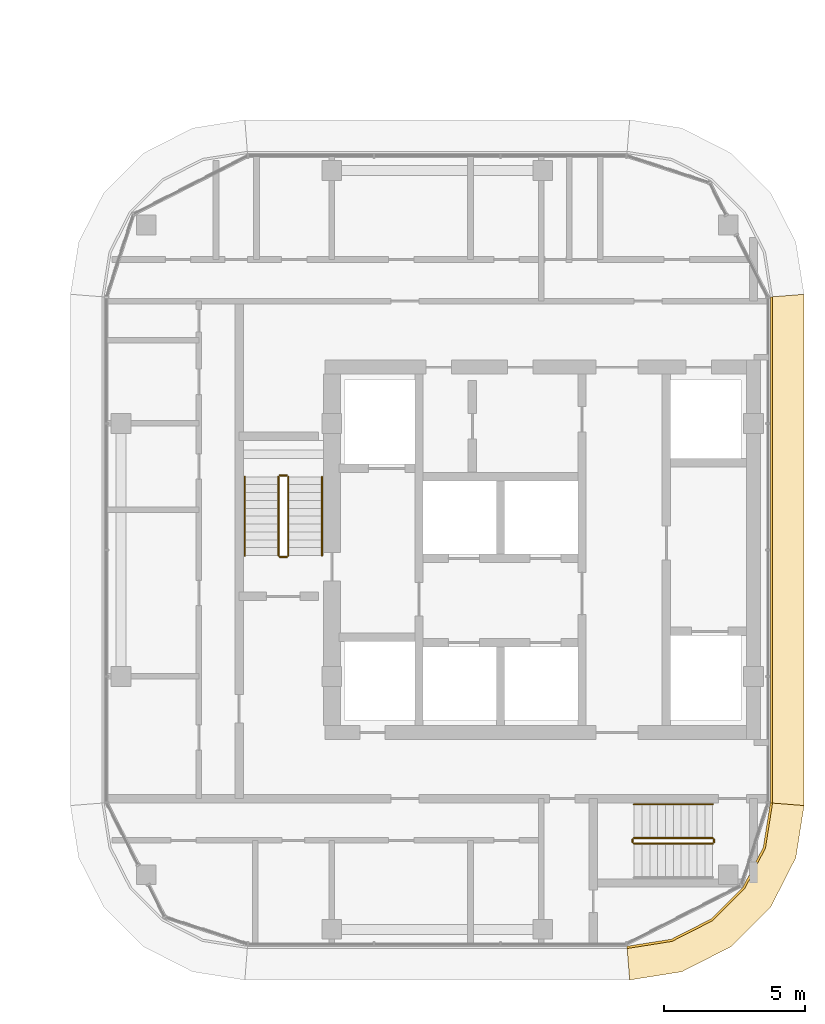
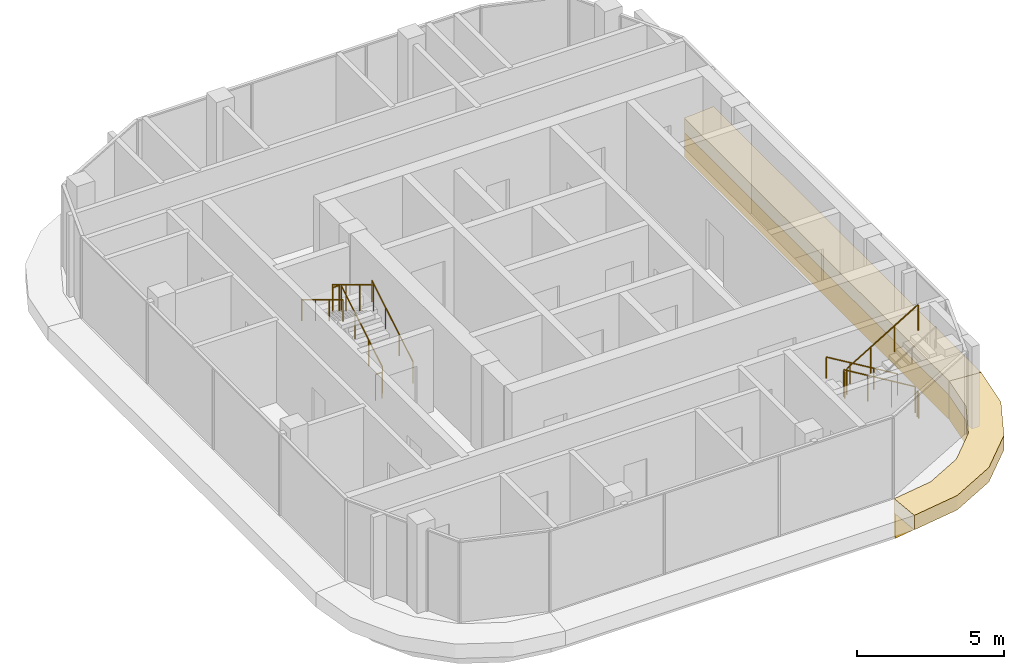
# One storey, part 32 of 33: 11 railings, 4 coverings.
"""IFC4 building model written with IfcOpenShell, lengths in metres."""

from ifc_helpers import new_model, si_unit, direction, frame, origin, origin_2d, place, context, subcontext, project, spatial, polyline, circle, outline, extrude, material, layer, layer_set, type_object, element, save


model = new_model("IFC4")

# Units and contexts
model_context = context("Model", 3, precision=1e-05, world=origin(), true_north=direction((0.0, 1.0)))
body_context = subcontext(model_context, "Body", "Model", "MODEL_VIEW")
ifc_project = project(units=[si_unit("LENGTHUNIT", "METRE"), si_unit("AREAUNIT", "SQUARE_METRE"), si_unit("VOLUMEUNIT", "CUBIC_METRE"), si_unit("PLANEANGLEUNIT", "RADIAN"), si_unit("MASSUNIT", "GRAM", prefix="KILO")], contexts=[model_context])

# Site, building, storey
site_placement = place(None, origin())
site = spatial("IfcSite", under=ifc_project, at=site_placement, CompositionType="ELEMENT")
building_placement = place(site_placement, origin())
building = spatial("IfcBuilding", under=site, at=building_placement, Name="Ogive Portal Towers", CompositionType="ELEMENT")
storey_placement = place(building_placement, frame((0.0, 0.0, 98.199951171875)))
storey = spatial("IfcBuildingStorey", under=building, at=storey_placement, Name="L23", CompositionType="ELEMENT", Elevation=98.199951171875)

# Railings
ifc_material_1 = material(Name="Stainless steel balustrade", Category="steel")
railing_type_1 = type_object("IfcRailingType", Name="INT-GUARD", PredefinedType="GUARDRAIL", material=ifc_material_1)
railing_1_placement = place(storey_placement, frame((127.449951171875, 30.800048828125, 0.168212890625)))
element("IfcRailing", 1, at=railing_1_placement, inside=storey, type_object=railing_type_1, Name="L23 ST-B1 stair guard 1", PredefinedType="GUARDRAIL", context=body_context, shape_type="SweptSolid", body=[
    extrude(circle(Radius=0.02392578125, at=origin_2d()), frame((0.0, 0.0, 1.076171875), z_axis=(0.0, 0.857242210791, 0.514913383045), x_axis=(-1.0, 0.0, 0.0)), (0.0, 0.0, 1.0), 3.266357421875),
    extrude(circle(Radius=0.02099609375, at=origin_2d()), origin(), (0.0, 0.0, 1.0), 1.052001953125),
    extrude(circle(Radius=0.02099609375, at=origin_2d()), frame((0.0, 0.933349609375, 0.560546875)), (0.0, 0.0, 1.0), 1.052001953125),
    extrude(circle(Radius=0.02099609375, at=origin_2d()), frame((0.0, 1.86669921875, 1.121337890625)), (0.0, 0.0, 1.0), 1.052001953125),
    extrude(circle(Radius=0.02099609375, at=origin_2d()), frame((0.0, 2.800048828125, 1.681884765625)), (0.0, 0.0, 1.0), 1.052001953125),
])
railing_2_placement = place(storey_placement, frame((127.39990234375, 33.64990234375, 1.85009765625)))
element("IfcRailing", 2, at=railing_2_placement, inside=storey, type_object=railing_type_1, Name="L23 ST-B1 stair guard 2", PredefinedType="GUARDRAIL", context=body_context, shape_type="SweptSolid", body=[
    extrude(circle(Radius=0.02392578125, at=origin_2d()), frame((0.0, 0.0, 1.076171875), z_axis=(-1.0, 0.0, 0.0), x_axis=(0.0, -1.0, 0.0)), (0.0, 0.0, 1.0), 0.25),
    extrude(circle(Radius=0.02099609375, at=origin_2d()), origin(), (0.0, 0.0, 1.0), 1.052001953125),
    extrude(circle(Radius=0.02099609375, at=origin_2d()), frame((-0.25, 0.0, 0.0)), (0.0, 0.0, 1.0), 1.052001953125),
])
railing_3_placement = place(storey_placement, frame((127.10009765625, 33.60009765625, 2.018310546875)))
element("IfcRailing", 3, at=railing_3_placement, inside=storey, type_object=railing_type_1, Name="L23 ST-B1 stair guard 3", PredefinedType="GUARDRAIL", context=body_context, shape_type="SweptSolid", body=[
    extrude(circle(Radius=0.02392578125, at=origin_2d()), frame((0.0, 0.0, 1.076171875), z_axis=(0.0, -0.857275202839, 0.514858452973), x_axis=(1.0, 0.0, 0.0)), (0.0, 0.0, 1.0), 3.26611328125),
    extrude(circle(Radius=0.02099609375, at=origin_2d()), origin(), (0.0, 0.0, 1.0), 1.052001953125),
    extrude(circle(Radius=0.02099609375, at=origin_2d()), frame((0.0, -0.933349609375, 0.560546875)), (0.0, 0.0, 1.0), 1.052001953125),
    extrude(circle(Radius=0.02099609375, at=origin_2d()), frame((0.0, -1.86669921875, 1.12109375)), (0.0, 0.0, 1.0), 1.052001953125),
    extrude(circle(Radius=0.02099609375, at=origin_2d()), frame((0.0, -2.800048828125, 1.681640625)), (0.0, 0.0, 1.0), 1.052001953125),
])
railing_4_placement = place(storey_placement, frame((127.39990234375, 30.75, 0.0)))
element("IfcRailing", 4, at=railing_4_placement, inside=storey, type_object=railing_type_1, Name="L23 ST-B1 stair guard 4", PredefinedType="GUARDRAIL", context=body_context, shape_type="SweptSolid", body=[
    extrude(circle(Radius=0.02392578125, at=origin_2d()), frame((0.0, 0.0, 1.076171875), z_axis=(-1.0, 0.0, 0.0), x_axis=(0.0, -1.0, 0.0)), (0.0, 0.0, 1.0), 0.25),
    extrude(circle(Radius=0.02099609375, at=origin_2d()), origin(), (0.0, 0.0, 1.0), 1.052001953125),
    extrude(circle(Radius=0.02099609375, at=origin_2d()), frame((-0.25, 0.0, 0.0)), (0.0, 0.0, 1.0), 1.052001953125),
])
railing_5_placement = place(storey_placement, frame((142.550048828125, 20.75, 0.168212890625)))
element("IfcRailing", 5, at=railing_5_placement, inside=storey, type_object=railing_type_1, Name="L23 ST-B2 stair guard 1", PredefinedType="GUARDRAIL", context=body_context, shape_type="SweptSolid", body=[
    extrude(circle(Radius=0.02392578125, at=origin_2d()), frame((0.0, 0.0, 1.076171875), z_axis=(-0.857242210791, 0.0, 0.514913383045), x_axis=(0.0, -1.0, 0.0)), (0.0, 0.0, 1.0), 3.266357421875),
    extrude(circle(Radius=0.02099609375, at=origin_2d()), origin(), (0.0, 0.0, 1.0), 1.052001953125),
    extrude(circle(Radius=0.02099609375, at=origin_2d()), frame((-0.933349609375, 0.0, 0.560546875)), (0.0, 0.0, 1.0), 1.052001953125),
    extrude(circle(Radius=0.02099609375, at=origin_2d()), frame((-1.86669921875, 0.0, 1.121337890625)), (0.0, 0.0, 1.0), 1.052001953125),
    extrude(circle(Radius=0.02099609375, at=origin_2d()), frame((-2.800048828125, 0.0, 1.681884765625)), (0.0, 0.0, 1.0), 1.052001953125),
])
railing_6_placement = place(storey_placement, frame((139.699951171875, 20.699951171875, 1.85009765625)))
element("IfcRailing", 6, at=railing_6_placement, inside=storey, type_object=railing_type_1, Name="L23 ST-B2 stair guard 2", PredefinedType="GUARDRAIL", context=body_context, shape_type="SweptSolid", body=[
    extrude(circle(Radius=0.02392578125, at=origin_2d()), frame((0.0, 0.0, 1.076171875), z_axis=(0.0, -1.0, 0.0), x_axis=(1.0, 0.0, 0.0)), (0.0, 0.0, 1.0), 0.099853515625),
    extrude(circle(Radius=0.02099609375, at=origin_2d()), origin(), (0.0, 0.0, 1.0), 1.052001953125),
    extrude(circle(Radius=0.02099609375, at=origin_2d()), frame((0.0, -0.099853515625, 0.0)), (0.0, 0.0, 1.0), 1.052001953125),
])
railing_7_placement = place(storey_placement, frame((139.75, 20.550048828125, 2.018310546875)))
element("IfcRailing", 7, at=railing_7_placement, inside=storey, type_object=railing_type_1, Name="L23 ST-B2 stair guard 3", PredefinedType="GUARDRAIL", context=body_context, shape_type="SweptSolid", body=[
    extrude(circle(Radius=0.02392578125, at=origin_2d()), frame((0.0, 0.0, 1.076171875), z_axis=(0.857275202839, 0.0, 0.514858452973), x_axis=(0.0, 1.0, 0.0)), (0.0, 0.0, 1.0), 3.26611328125),
    extrude(circle(Radius=0.02099609375, at=origin_2d()), origin(), (0.0, 0.0, 1.0), 1.052001953125),
    extrude(circle(Radius=0.02099609375, at=origin_2d()), frame((0.933349609375, 0.0, 0.560546875)), (0.0, 0.0, 1.0), 1.052001953125),
    extrude(circle(Radius=0.02099609375, at=origin_2d()), frame((1.86669921875, 0.0, 1.12109375)), (0.0, 0.0, 1.0), 1.052001953125),
    extrude(circle(Radius=0.02099609375, at=origin_2d()), frame((2.800048828125, 0.0, 1.681640625)), (0.0, 0.0, 1.0), 1.052001953125),
])
railing_8_placement = place(storey_placement, frame((142.60009765625, 20.699951171875, 0.0)))
element("IfcRailing", 8, at=railing_8_placement, inside=storey, type_object=railing_type_1, Name="L23 ST-B2 stair guard 4", PredefinedType="GUARDRAIL", context=body_context, shape_type="SweptSolid", body=[
    extrude(circle(Radius=0.02392578125, at=origin_2d()), frame((0.0, 0.0, 1.076171875), z_axis=(0.0, -1.0, 0.0), x_axis=(1.0, 0.0, 0.0)), (0.0, 0.0, 1.0), 0.099853515625),
    extrude(circle(Radius=0.02099609375, at=origin_2d()), origin(), (0.0, 0.0, 1.0), 1.052001953125),
    extrude(circle(Radius=0.02099609375, at=origin_2d()), frame((0.0, -0.099853515625, 0.0)), (0.0, 0.0, 1.0), 1.052001953125),
])
ifc_material_2 = material(Name="Stainless steel handrail", Category="steel")
railing_type_2 = type_object("IfcRailingType", Name="INT-HANDRAIL", PredefinedType="HANDRAIL", material=ifc_material_2)
railing_9_placement = place(storey_placement, frame((128.64990234375, 30.800048828125, 0.168212890625)))
element("IfcRailing", 9, at=railing_9_placement, inside=storey, type_object=railing_type_2, Name="L23 ST-B1 stair handrail 1", PredefinedType="HANDRAIL", context=body_context, shape_type="SweptSolid", body=[
    extrude(circle(Radius=0.02392578125, at=origin_2d()), frame((0.0, 0.0, 0.8759765625), z_axis=(0.0, 0.857242210791, 0.514913383045), x_axis=(-1.0, 0.0, 0.0)), (0.0, 0.0, 1.0), 3.266357421875),
    extrude(circle(Radius=0.02099609375, at=origin_2d()), origin(), (0.0, 0.0, 1.0), 0.851806640625),
    extrude(circle(Radius=0.02099609375, at=origin_2d()), frame((0.0, 0.933349609375, 0.560546875)), (0.0, 0.0, 1.0), 0.851806640625),
    extrude(circle(Radius=0.02099609375, at=origin_2d()), frame((0.0, 1.86669921875, 1.121337890625)), (0.0, 0.0, 1.0), 0.851806640625),
    extrude(circle(Radius=0.02099609375, at=origin_2d()), frame((0.0, 2.800048828125, 1.681884765625)), (0.0, 0.0, 1.0), 0.851806640625),
])
railing_10_placement = place(storey_placement, frame((125.89990234375, 33.60009765625, 2.018310546875)))
element("IfcRailing", 10, at=railing_10_placement, inside=storey, type_object=railing_type_2, Name="L23 ST-B1 stair handrail 2", PredefinedType="HANDRAIL", context=body_context, shape_type="SweptSolid", body=[
    extrude(circle(Radius=0.02392578125, at=origin_2d()), frame((0.0, 0.0, 0.8759765625), z_axis=(0.0, -0.857275202839, 0.514858452973), x_axis=(1.0, 0.0, 0.0)), (0.0, 0.0, 1.0), 3.26611328125),
    extrude(circle(Radius=0.02099609375, at=origin_2d()), origin(), (0.0, 0.0, 1.0), 0.851806640625),
    extrude(circle(Radius=0.02099609375, at=origin_2d()), frame((0.0, -0.933349609375, 0.560546875)), (0.0, 0.0, 1.0), 0.851806640625),
    extrude(circle(Radius=0.02099609375, at=origin_2d()), frame((0.0, -1.86669921875, 1.12109375)), (0.0, 0.0, 1.0), 0.851806640625),
    extrude(circle(Radius=0.02099609375, at=origin_2d()), frame((0.0, -2.800048828125, 1.681640625)), (0.0, 0.0, 1.0), 0.851806640625),
])
railing_11_placement = place(storey_placement, frame((142.550048828125, 21.949951171875, 0.168212890625)))
element("IfcRailing", 11, at=railing_11_placement, inside=storey, type_object=railing_type_2, Name="L23 ST-B2 stair handrail 1", PredefinedType="HANDRAIL", context=body_context, shape_type="SweptSolid", body=[
    extrude(circle(Radius=0.02392578125, at=origin_2d()), frame((0.0, 0.0, 0.8759765625), z_axis=(-0.857242210791, 0.0, 0.514913383045), x_axis=(0.0, -1.0, 0.0)), (0.0, 0.0, 1.0), 3.266357421875),
    extrude(circle(Radius=0.02099609375, at=origin_2d()), origin(), (0.0, 0.0, 1.0), 0.851806640625),
    extrude(circle(Radius=0.02099609375, at=origin_2d()), frame((-0.933349609375, 0.0, 0.560546875)), (0.0, 0.0, 1.0), 0.851806640625),
    extrude(circle(Radius=0.02099609375, at=origin_2d()), frame((-1.86669921875, 0.0, 1.121337890625)), (0.0, 0.0, 1.0), 0.851806640625),
    extrude(circle(Radius=0.02099609375, at=origin_2d()), frame((-2.800048828125, 0.0, 1.681884765625)), (0.0, 0.0, 1.0), 0.851806640625),
])

# Coverings
ifc_material_3 = material(Name="Limestone cladding on lightweight block wall", Category="masonry")
ifc_layer_1 = layer(ifc_material_3, 0.080078125)
ifc_layer_set_1 = layer_set([ifc_layer_1], Name="STONE SPANDREL 80")
covering_type_1 = type_object("IfcCoveringType", Name="STONE SPANDREL 80", PredefinedType="CLADDING", material=ifc_layer_set_1)
covering_1_placement = place(storey_placement, frame((0.0, 0.0, -1.599853515625)))
element("IfcCovering", 12, at=covering_1_placement, inside=storey, type_object=covering_type_1, Name="Stone spandrel B1-F03", PredefinedType="CLADDING", context=body_context, shape_type="SweptSolid", body=[
    extrude(outline(polyline([(139.5, 16.89990234375), (141.075927734375, 17.149658203125), (142.497802734375, 17.8740234375), (143.6259765625, 19.002197265625), (144.350341796875, 20.424072265625), (144.60009765625, 22.0), (144.679931640625, 21.99365234375), (144.427490234375, 20.39892578125), (143.69140625, 18.95458984375), (142.54541015625, 17.80859375), (141.10107421875, 17.072509765625), (139.50634765625, 16.820068359375), (139.5, 16.89990234375)])), origin(), (0.0, 0.0, 1.0), 1.0),
])
covering_2_placement = place(storey_placement, frame((0.0, 0.0, -1.599853515625)))
element("IfcCovering", 13, at=covering_2_placement, inside=storey, type_object=covering_type_1, Name="Stone spandrel B1-F04", PredefinedType="CLADDING", context=body_context, shape_type="SweptSolid", body=[
    extrude(outline(polyline([(144.60009765625, 22.0), (144.60009765625, 40.0), (144.679931640625, 40.00634765625), (144.679931640625, 21.99365234375), (144.60009765625, 22.0)])), origin(), (0.0, 0.0, 1.0), 1.0),
])
ifc_layer_2 = layer(ifc_material_3, 0.60009765625)
ifc_layer_set_2 = layer_set([ifc_layer_2], Name="SUNSHADE LIP 600")
covering_type_2 = type_object("IfcCoveringType", Name="SUNSHADE LIP 600", PredefinedType="CLADDING", material=ifc_layer_set_2)
covering_3_placement = place(storey_placement, frame((0.0, 0.0, -0.599853515625)))
element("IfcCovering", 14, at=covering_3_placement, inside=storey, type_object=covering_type_2, Name="Sunshade lip B1-F03", PredefinedType="CLADDING", context=body_context, shape_type="SweptSolid", body=[
    extrude(outline(polyline([(139.5, 16.89990234375), (141.075927734375, 17.149658203125), (142.497802734375, 17.8740234375), (143.6259765625, 19.002197265625), (144.350341796875, 20.424072265625), (144.60009765625, 22.0), (145.800048828125, 21.905517578125), (145.505859375, 20.048583984375), (144.60888671875, 18.2880859375), (143.2119140625, 16.89111328125), (141.451416015625, 15.994140625), (139.594482421875, 15.699951171875), (139.5, 16.89990234375)])), origin(), (0.0, 0.0, 1.0), 0.599853515625),
])
covering_4_placement = place(storey_placement, frame((0.0, 0.0, -0.599853515625)))
element("IfcCovering", 15, at=covering_4_placement, inside=storey, type_object=covering_type_2, Name="Sunshade lip B1-F04", PredefinedType="CLADDING", context=body_context, shape_type="SweptSolid", body=[
    extrude(outline(polyline([(144.60009765625, 22.0), (144.60009765625, 40.0), (145.800048828125, 40.094482421875), (145.800048828125, 21.905517578125), (144.60009765625, 22.0)])), origin(), (0.0, 0.0, 1.0), 0.599853515625),
])

save(model, "model.ifc")
